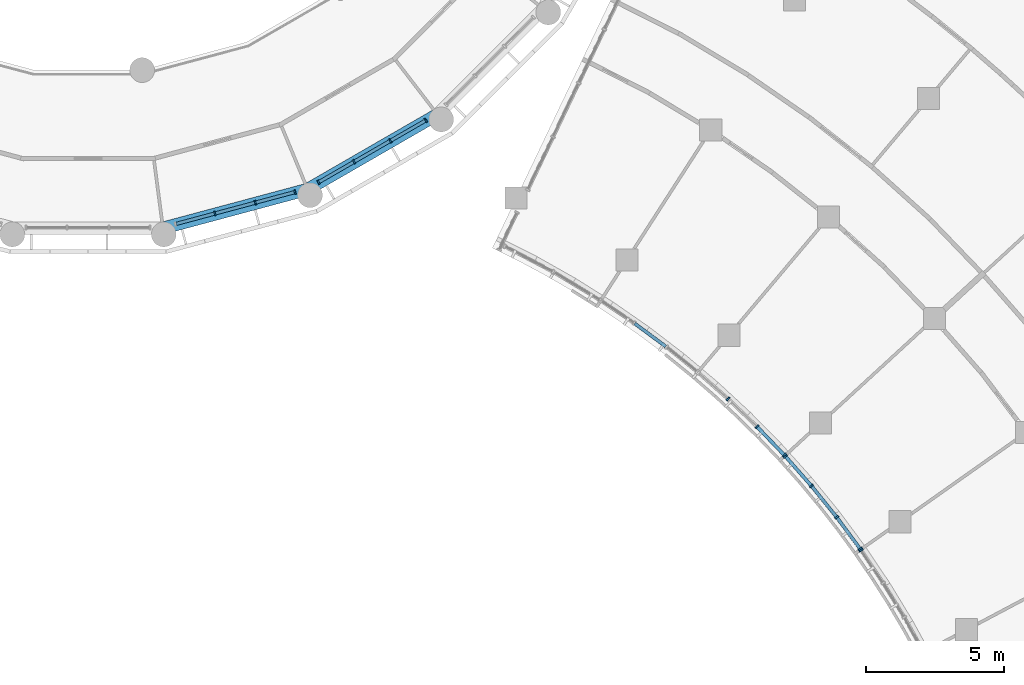
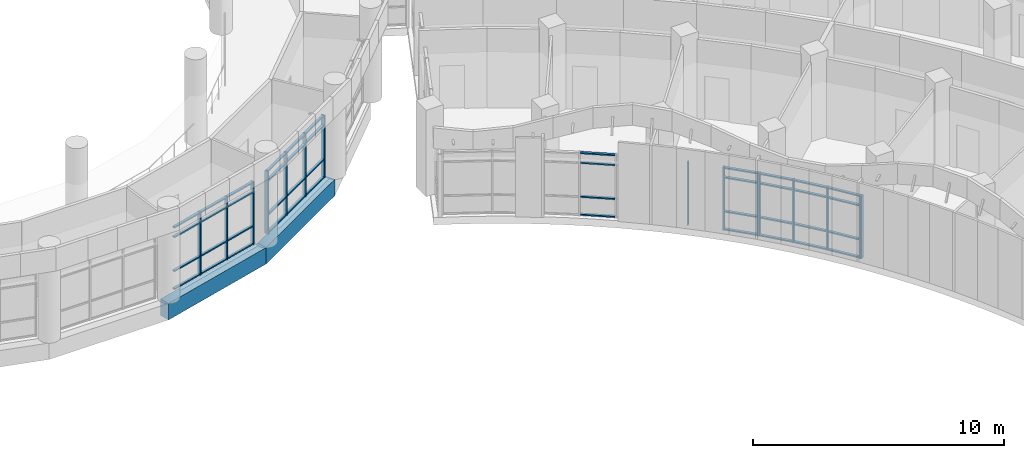
# One storey, part 10 of 109: 59 members, 2 beams, 6 elements without a shape of their own.
"""IFC4 building model written with IfcOpenShell, lengths in metres."""

from ifc_helpers import new_model, si_unit, direction, frame, origin, origin_2d, place, context, subcontext, project, spatial, rectangle, extrude, material, material_profile, profile_set, type_object, element, aggregate, save


model = new_model("IFC4")

# Units and contexts
model_context = context("Model", 3, precision=1e-05, world=origin(), true_north=direction((0.0, 1.0)))
body_context = subcontext(model_context, "Body", "Model", "MODEL_VIEW")
ifc_project = project(units=[si_unit("LENGTHUNIT", "METRE"), si_unit("AREAUNIT", "SQUARE_METRE"), si_unit("VOLUMEUNIT", "CUBIC_METRE"), si_unit("PLANEANGLEUNIT", "RADIAN"), si_unit("MASSUNIT", "GRAM", prefix="KILO")], contexts=[model_context])

# Site, building, storey
site_placement = place(None, origin())
site = spatial("IfcSite", under=ifc_project, at=site_placement, CompositionType="ELEMENT")
building_placement = place(site_placement, origin())
building = spatial("IfcBuilding", under=site, at=building_placement, Name="Bougainvillea Quay General Hospital", CompositionType="ELEMENT")
storey_placement = place(building_placement, frame((0.0, 0.0, 12.60009765625)))
storey = spatial("IfcBuildingStorey", under=building, at=storey_placement, Name="L02", CompositionType="ELEMENT", Elevation=12.60009765625)

# Curtain wall, members
ifc_material_1 = material(Name="Aluminium curtain wall system, powder-coated glazed", Category="aluminium")
curtain_wall_type_1 = type_object("IfcCurtainWallType", Name="Unitised curtain wall CW-2100", PredefinedType="NOTDEFINED", material=ifc_material_1)
curtain_wall_1_placement = place(storey_placement, origin())
curtain_wall_1 = element("IfcCurtainWall", 1, at=curtain_wall_1_placement, inside=storey, type_object=curtain_wall_type_1, Name="CW-E03 a21b2", PredefinedType="NOTDEFINED")
ifc_material_2 = material(Name="Aluminium mullion, powder-coated charcoal", Category="aluminium")
ifc_material_profile_1 = material_profile(ifc_material_2, rectangle(XDim=0.159912109375, YDim=0.06005859375, at=origin_2d()))
ifc_profile_set_1 = profile_set([ifc_material_profile_1], Name="Aluminium mullion, powder-coated charcoal")
member_type_1 = type_object("IfcMemberType", Name="Curtain wall mullion 160x60", PredefinedType="MULLION", material=ifc_profile_set_1)
member_1_placement = place(storey_placement, frame((132.365966796875, 47.226806640625, 0.0), z_axis=(0.0, 0.0, 1.0), x_axis=(0.676379052625, 0.736553716419, 0.0)))
member_1 = element("IfcMember", 2, at=member_1_placement, type_object=member_type_1, Name="CW-E03 mullion 2", PredefinedType="MULLION", context=body_context, shape_type="SweptSolid", body=[
    extrude(rectangle(XDim=0.159912109375, YDim=0.06005859375, at=origin_2d()), origin(), (0.0, 0.0, 1.0), 3.0498046875),
])
member_2_placement = place(storey_placement, frame((133.417724609375, 46.218994140625, 0.0), z_axis=(0.0, 0.0, 1.0), x_axis=(0.707090325877, 0.707123236113, 0.0)))
member_2 = element("IfcMember", 3, at=member_2_placement, type_object=member_type_1, Name="CW-E03 mullion 3", PredefinedType="MULLION", context=body_context, shape_type="SweptSolid", body=[
    extrude(rectangle(XDim=0.159912109375, YDim=0.06005859375, at=origin_2d()), origin(), (0.0, 0.0, 1.0), 3.0498046875),
])
member_3_placement = place(storey_placement, frame((134.405029296875, 45.188720703125, 0.0), z_axis=(0.0, 0.0, 1.0), x_axis=(0.721969584803, 0.691924792604, 0.0)))
member_3 = element("IfcMember", 4, at=member_3_placement, type_object=member_type_1, Name="CW-E03 mullion 4", PredefinedType="MULLION", context=body_context, shape_type="SweptSolid", body=[
    extrude(rectangle(XDim=0.159912109375, YDim=0.06005859375, at=origin_2d()), origin(), (0.0, 0.0, 1.0), 3.0498046875),
])

curtain_wall_2_placement = place(storey_placement, origin())
curtain_wall_2 = element("IfcCurtainWall", 5, at=curtain_wall_2_placement, inside=storey, type_object=curtain_wall_type_1, Name="CW-E04 a21b3", PredefinedType="NOTDEFINED")
member_4_placement = place(storey_placement, frame((134.445556640625, 45.14453125, 0.0), z_axis=(0.0, 0.0, 1.0), x_axis=(0.750741694576, 0.660595873455, 0.0)))
member_4 = element("IfcMember", 6, at=member_4_placement, type_object=member_type_1, Name="CW-E04 mullion 1", PredefinedType="MULLION", context=body_context, shape_type="SweptSolid", body=[
    extrude(rectangle(XDim=0.159912109375, YDim=0.06005859375, at=origin_2d()), origin(), (0.0, 0.0, 1.0), 3.0498046875),
])
member_5_placement = place(storey_placement, frame((135.38818359375, 44.073486328125, 0.0), z_axis=(0.0, 0.0, 1.0), x_axis=(0.764621529328, 0.644479570575, 0.0)))
member_5 = element("IfcMember", 7, at=member_5_placement, type_object=member_type_1, Name="CW-E04 mullion 2", PredefinedType="MULLION", context=body_context, shape_type="SweptSolid", body=[
    extrude(rectangle(XDim=0.159912109375, YDim=0.06005859375, at=origin_2d()), origin(), (0.0, 0.0, 1.0), 3.0498046875),
])
member_6_placement = place(storey_placement, frame((136.30322265625, 42.939697265625, 0.0), z_axis=(0.0, 0.0, 1.0), x_axis=(0.791337366302, 0.611379728723, 0.0)))
member_6 = element("IfcMember", 8, at=member_6_placement, type_object=member_type_1, Name="CW-E04 mullion 3", PredefinedType="MULLION", context=body_context, shape_type="SweptSolid", body=[
    extrude(rectangle(XDim=0.159912109375, YDim=0.06005859375, at=origin_2d()), origin(), (0.0, 0.0, 1.0), 3.0498046875),
])
member_7_placement = place(storey_placement, frame((137.1513671875, 41.792236328125, 0.0), z_axis=(0.0, 0.0, 1.0), x_axis=(0.804161282658, 0.594411163652, 0.0)))
member_7 = element("IfcMember", 9, at=member_7_placement, type_object=member_type_1, Name="CW-E04 mullion 4", PredefinedType="MULLION", context=body_context, shape_type="SweptSolid", body=[
    extrude(rectangle(XDim=0.159912109375, YDim=0.06005859375, at=origin_2d()), origin(), (0.0, 0.0, 1.0), 3.0498046875),
])

# Curtain wall, member
curtain_wall_3_placement = place(storey_placement, origin())
curtain_wall_3 = element("IfcCurtainWall", 10, at=curtain_wall_3_placement, inside=storey, type_object=curtain_wall_type_1, Name="CW-E05 a21b4", PredefinedType="NOTDEFINED")
member_8_placement = place(storey_placement, frame((137.18603515625, 41.743408203125, 0.0), z_axis=(0.0, 0.0, 1.0), x_axis=(0.828712107033, 0.559675123314, 0.0)))
member_8 = element("IfcMember", 11, at=member_8_placement, type_object=member_type_1, Name="CW-E05 mullion 1", PredefinedType="MULLION", context=body_context, shape_type="SweptSolid", body=[
    extrude(rectangle(XDim=0.159912109375, YDim=0.06005859375, at=origin_2d()), origin(), (0.0, 0.0, 1.0), 3.0498046875),
])
aggregate(curtain_wall_3, [member_8])

# Curtain wall, members
curtain_wall_type_2 = type_object("IfcCurtainWallType", Name="Unitised curtain wall CW-1514", PredefinedType="NOTDEFINED", material=ifc_material_1)
curtain_wall_4_placement = place(storey_placement, origin())
curtain_wall_4 = element("IfcCurtainWall", 12, at=curtain_wall_4_placement, inside=storey, type_object=curtain_wall_type_2, Name="CW-D 00", PredefinedType="NOTDEFINED")
member_9_placement = place(storey_placement, frame((113.792724609375, 53.93505859375, 0.0), z_axis=(0.0, 0.0, 1.0), x_axis=(-0.258854621298, 0.965916292974, 0.0)))
member_9 = element("IfcMember", 13, at=member_9_placement, type_object=member_type_1, Name="CW-D mullion 2", PredefinedType="MULLION", context=body_context, shape_type="SweptSolid", body=[
    extrude(rectangle(XDim=0.159912109375, YDim=0.06005859375, at=origin_2d()), origin(), (0.0, 0.0, 1.0), 3.0498046875),
])
member_10_placement = place(storey_placement, frame((115.2548828125, 54.326904296875, 0.0), z_axis=(0.0, 0.0, 1.0), x_axis=(-0.258854621298, 0.965916292974, 0.0)))
member_10 = element("IfcMember", 14, at=member_10_placement, type_object=member_type_1, Name="CW-D mullion 3", PredefinedType="MULLION", context=body_context, shape_type="SweptSolid", body=[
    extrude(rectangle(XDim=0.159912109375, YDim=0.06005859375, at=origin_2d()), origin(), (0.0, 0.0, 1.0), 3.0498046875),
])
member_11_placement = place(storey_placement, frame((116.688232421875, 54.7109375, 0.0), z_axis=(0.0, 0.0, 1.0), x_axis=(-0.258854621298, 0.965916292974, 0.0)))
member_11 = element("IfcMember", 15, at=member_11_placement, type_object=member_type_1, Name="CW-D mullion 4", PredefinedType="MULLION", context=body_context, shape_type="SweptSolid", body=[
    extrude(rectangle(XDim=0.159912109375, YDim=0.06005859375, at=origin_2d()), origin(), (0.0, 0.0, 1.0), 3.0498046875),
])

curtain_wall_type_3 = type_object("IfcCurtainWallType", Name="Unitised curtain wall CW-1515", PredefinedType="NOTDEFINED", material=ifc_material_1)
curtain_wall_5_placement = place(storey_placement, origin())
curtain_wall_5 = element("IfcCurtainWall", 16, at=curtain_wall_5_placement, inside=storey, type_object=curtain_wall_type_3, Name="CW-D 00", PredefinedType="NOTDEFINED")
member_12_placement = place(storey_placement, frame((117.5439453125, 55.0654296875, 0.0), z_axis=(0.0, 0.0, 1.0), x_axis=(-0.499964557262, 0.866045865692, 0.0)))
member_12 = element("IfcMember", 17, at=member_12_placement, type_object=member_type_1, Name="CW-D mullion 1", PredefinedType="MULLION", context=body_context, shape_type="SweptSolid", body=[
    extrude(rectangle(XDim=0.159912109375, YDim=0.06005859375, at=origin_2d()), origin(), (0.0, 0.0, 1.0), 3.0498046875),
])
member_13_placement = place(storey_placement, frame((118.829345703125, 55.8076171875, 0.0), z_axis=(0.0, 0.0, 1.0), x_axis=(-0.499964557262, 0.866045865692, 0.0)))
member_13 = element("IfcMember", 18, at=member_13_placement, type_object=member_type_1, Name="CW-D mullion 2", PredefinedType="MULLION", context=body_context, shape_type="SweptSolid", body=[
    extrude(rectangle(XDim=0.159912109375, YDim=0.06005859375, at=origin_2d()), origin(), (0.0, 0.0, 1.0), 3.0498046875),
])
member_14_placement = place(storey_placement, frame((120.140625, 56.564453125, 0.0), z_axis=(0.0, 0.0, 1.0), x_axis=(-0.499964557262, 0.866045865692, 0.0)))
member_14 = element("IfcMember", 19, at=member_14_placement, type_object=member_type_1, Name="CW-D mullion 3", PredefinedType="MULLION", context=body_context, shape_type="SweptSolid", body=[
    extrude(rectangle(XDim=0.159912109375, YDim=0.06005859375, at=origin_2d()), origin(), (0.0, 0.0, 1.0), 3.0498046875),
])
member_15_placement = place(storey_placement, frame((121.426025390625, 57.306640625, 0.0), z_axis=(0.0, 0.0, 1.0), x_axis=(-0.499964557262, 0.866045865692, 0.0)))
member_15 = element("IfcMember", 20, at=member_15_placement, type_object=member_type_1, Name="CW-D mullion 4", PredefinedType="MULLION", context=body_context, shape_type="SweptSolid", body=[
    extrude(rectangle(XDim=0.159912109375, YDim=0.06005859375, at=origin_2d()), origin(), (0.0, 0.0, 1.0), 3.0498046875),
])

curtain_wall_6_placement = place(storey_placement, origin())
curtain_wall_6 = element("IfcCurtainWall", 21, at=curtain_wall_6_placement, inside=storey, type_object=curtain_wall_type_1, Name="CW-E02 a21b1", PredefinedType="NOTDEFINED")
ifc_material_3 = material(Name="Aluminium transom, powder-coated charcoal", Category="aluminium")
ifc_material_profile_2 = material_profile(ifc_material_3, rectangle(XDim=0.1201171875, YDim=0.06005859375, at=origin_2d()))
ifc_profile_set_2 = profile_set([ifc_material_profile_2], Name="Aluminium transom, powder-coated charcoal")
member_type_2 = type_object("IfcMemberType", Name="Curtain wall transom 120x60", PredefinedType="USERDEFINED", material=ifc_profile_set_2)
member_16_placement = place(storey_placement, frame((128.990966796875, 49.952392578125, 0.02978515625), z_axis=(0.804154347071, -0.594420546488, 0.0), x_axis=(0.594420546488, 0.804154347071, 0.0)))
member_16 = element("IfcMember", 22, at=member_16_placement, type_object=member_type_2, Name="CW-E02 transom 2.1", ObjectType="TRANSOM", PredefinedType="USERDEFINED", context=body_context, shape_type="SweptSolid", body=[
    extrude(rectangle(XDim=0.1201171875, YDim=0.06005859375, at=origin_2d()), origin(), (0.0, 0.0, 1.0), 1.39697265625),
])
member_17_placement = place(storey_placement, frame((128.990966796875, 49.952392578125, 0.89990234375), z_axis=(0.804154347071, -0.594420546488, 0.0), x_axis=(0.594420546488, 0.804154347071, 0.0)))
member_17 = element("IfcMember", 23, at=member_17_placement, type_object=member_type_2, Name="CW-E02 transom 2.2", ObjectType="TRANSOM", PredefinedType="USERDEFINED", context=body_context, shape_type="SweptSolid", body=[
    extrude(rectangle(XDim=0.1201171875, YDim=0.06005859375, at=origin_2d()), origin(), (0.0, 0.0, 1.0), 1.39697265625),
])
member_18_placement = place(storey_placement, frame((128.990966796875, 49.952392578125, 2.5498046875), z_axis=(0.804154347071, -0.594420546488, 0.0), x_axis=(0.594420546488, 0.804154347071, 0.0)))
member_18 = element("IfcMember", 24, at=member_18_placement, type_object=member_type_2, Name="CW-E02 transom 2.3", ObjectType="TRANSOM", PredefinedType="USERDEFINED", context=body_context, shape_type="SweptSolid", body=[
    extrude(rectangle(XDim=0.1201171875, YDim=0.06005859375, at=origin_2d()), origin(), (0.0, 0.0, 1.0), 1.39697265625),
])
member_19_placement = place(storey_placement, frame((128.990966796875, 49.952392578125, 3.02001953125), z_axis=(0.804154347071, -0.594420546488, 0.0), x_axis=(0.594420546488, 0.804154347071, 0.0)))
member_19 = element("IfcMember", 25, at=member_19_placement, type_object=member_type_2, Name="CW-E02 transom 2.4", ObjectType="TRANSOM", PredefinedType="USERDEFINED", context=body_context, shape_type="SweptSolid", body=[
    extrude(rectangle(XDim=0.1201171875, YDim=0.06005859375, at=origin_2d()), origin(), (0.0, 0.0, 1.0), 1.39697265625),
])
aggregate(curtain_wall_6, [member_16, member_17, member_18, member_19])

# Member
member_20_placement = place(storey_placement, frame((133.4384765625, 46.197265625, 0.02978515625), z_axis=(0.691944155864, -0.721951026847, 0.0), x_axis=(0.721951026847, 0.691944155864, 0.0)))
member_20 = element("IfcMember", 26, at=member_20_placement, type_object=member_type_2, Name="CW-E03 transom 3.1", ObjectType="TRANSOM", PredefinedType="USERDEFINED", context=body_context, shape_type="SweptSolid", body=[
    extrude(rectangle(XDim=0.1201171875, YDim=0.06005859375, at=origin_2d()), origin(), (0.0, 0.0, 1.0), 1.366943359375),
])

member_21_placement = place(storey_placement, frame((133.4384765625, 46.197265625, 0.89990234375), z_axis=(0.691944155864, -0.721951026847, 0.0), x_axis=(0.721951026847, 0.691944155864, 0.0)))
member_21 = element("IfcMember", 27, at=member_21_placement, type_object=member_type_2, Name="CW-E03 transom 3.2", ObjectType="TRANSOM", PredefinedType="USERDEFINED", context=body_context, shape_type="SweptSolid", body=[
    extrude(rectangle(XDim=0.1201171875, YDim=0.06005859375, at=origin_2d()), origin(), (0.0, 0.0, 1.0), 1.366943359375),
])

member_22_placement = place(storey_placement, frame((133.4384765625, 46.197265625, 2.5498046875), z_axis=(0.691944155864, -0.721951026847, 0.0), x_axis=(0.721951026847, 0.691944155864, 0.0)))
member_22 = element("IfcMember", 28, at=member_22_placement, type_object=member_type_2, Name="CW-E03 transom 3.3", ObjectType="TRANSOM", PredefinedType="USERDEFINED", context=body_context, shape_type="SweptSolid", body=[
    extrude(rectangle(XDim=0.1201171875, YDim=0.06005859375, at=origin_2d()), origin(), (0.0, 0.0, 1.0), 1.366943359375),
])

member_23_placement = place(storey_placement, frame((133.4384765625, 46.197265625, 3.02001953125), z_axis=(0.691944155864, -0.721951026847, 0.0), x_axis=(0.721951026847, 0.691944155864, 0.0)))
member_23 = element("IfcMember", 29, at=member_23_placement, type_object=member_type_2, Name="CW-E03 transom 3.4", ObjectType="TRANSOM", PredefinedType="USERDEFINED", context=body_context, shape_type="SweptSolid", body=[
    extrude(rectangle(XDim=0.1201171875, YDim=0.06005859375, at=origin_2d()), origin(), (0.0, 0.0, 1.0), 1.366943359375),
])

aggregate(curtain_wall_1, [member_1, member_2, member_3, member_20, member_21, member_22, member_23])

member_24_placement = place(storey_placement, frame((134.465576171875, 45.1220703125, 0.02978515625), z_axis=(0.660563464246, -0.750770210986, 0.0), x_axis=(0.750770210986, 0.660563464246, 0.0)))
member_24 = element("IfcMember", 30, at=member_24_placement, type_object=member_type_2, Name="CW-E04 transom 1.1", ObjectType="TRANSOM", PredefinedType="USERDEFINED", context=body_context, shape_type="SweptSolid", body=[
    extrude(rectangle(XDim=0.1201171875, YDim=0.06005859375, at=origin_2d()), origin(), (0.0, 0.0, 1.0), 1.36669921875),
])

member_25_placement = place(storey_placement, frame((134.465576171875, 45.1220703125, 0.89990234375), z_axis=(0.660563464246, -0.750770210986, 0.0), x_axis=(0.750770210986, 0.660563464246, 0.0)))
member_25 = element("IfcMember", 31, at=member_25_placement, type_object=member_type_2, Name="CW-E04 transom 1.2", ObjectType="TRANSOM", PredefinedType="USERDEFINED", context=body_context, shape_type="SweptSolid", body=[
    extrude(rectangle(XDim=0.1201171875, YDim=0.06005859375, at=origin_2d()), origin(), (0.0, 0.0, 1.0), 1.36669921875),
])

member_26_placement = place(storey_placement, frame((134.465576171875, 45.1220703125, 2.5498046875), z_axis=(0.660563464246, -0.750770210986, 0.0), x_axis=(0.750770210986, 0.660563464246, 0.0)))
member_26 = element("IfcMember", 32, at=member_26_placement, type_object=member_type_2, Name="CW-E04 transom 1.3", ObjectType="TRANSOM", PredefinedType="USERDEFINED", context=body_context, shape_type="SweptSolid", body=[
    extrude(rectangle(XDim=0.1201171875, YDim=0.06005859375, at=origin_2d()), origin(), (0.0, 0.0, 1.0), 1.36669921875),
])

member_27_placement = place(storey_placement, frame((134.465576171875, 45.1220703125, 3.02001953125), z_axis=(0.660563464246, -0.750770210986, 0.0), x_axis=(0.750770210986, 0.660563464246, 0.0)))
member_27 = element("IfcMember", 33, at=member_27_placement, type_object=member_type_2, Name="CW-E04 transom 1.4", ObjectType="TRANSOM", PredefinedType="USERDEFINED", context=body_context, shape_type="SweptSolid", body=[
    extrude(rectangle(XDim=0.1201171875, YDim=0.06005859375, at=origin_2d()), origin(), (0.0, 0.0, 1.0), 1.36669921875),
])

member_28_placement = place(storey_placement, frame((135.406982421875, 44.050048828125, 0.02978515625), z_axis=(0.628141814812, -0.778098875777, 0.0), x_axis=(0.778098875777, 0.628141814812, 0.0)))
member_28 = element("IfcMember", 34, at=member_28_placement, type_object=member_type_2, Name="CW-E04 transom 2.1", ObjectType="TRANSOM", PredefinedType="USERDEFINED", context=body_context, shape_type="SweptSolid", body=[
    extrude(rectangle(XDim=0.1201171875, YDim=0.06005859375, at=origin_2d()), origin(), (0.0, 0.0, 1.0), 1.39697265625),
])

member_29_placement = place(storey_placement, frame((135.406982421875, 44.050048828125, 0.89990234375), z_axis=(0.628141814812, -0.778098875777, 0.0), x_axis=(0.778098875777, 0.628141814812, 0.0)))
member_29 = element("IfcMember", 35, at=member_29_placement, type_object=member_type_2, Name="CW-E04 transom 2.2", ObjectType="TRANSOM", PredefinedType="USERDEFINED", context=body_context, shape_type="SweptSolid", body=[
    extrude(rectangle(XDim=0.1201171875, YDim=0.06005859375, at=origin_2d()), origin(), (0.0, 0.0, 1.0), 1.39697265625),
])

member_30_placement = place(storey_placement, frame((135.406982421875, 44.050048828125, 2.5498046875), z_axis=(0.628141814812, -0.778098875777, 0.0), x_axis=(0.778098875777, 0.628141814812, 0.0)))
member_30 = element("IfcMember", 36, at=member_30_placement, type_object=member_type_2, Name="CW-E04 transom 2.3", ObjectType="TRANSOM", PredefinedType="USERDEFINED", context=body_context, shape_type="SweptSolid", body=[
    extrude(rectangle(XDim=0.1201171875, YDim=0.06005859375, at=origin_2d()), origin(), (0.0, 0.0, 1.0), 1.39697265625),
])

member_31_placement = place(storey_placement, frame((135.406982421875, 44.050048828125, 3.02001953125), z_axis=(0.628141814812, -0.778098875777, 0.0), x_axis=(0.778098875777, 0.628141814812, 0.0)))
member_31 = element("IfcMember", 37, at=member_31_placement, type_object=member_type_2, Name="CW-E04 transom 2.4", ObjectType="TRANSOM", PredefinedType="USERDEFINED", context=body_context, shape_type="SweptSolid", body=[
    extrude(rectangle(XDim=0.1201171875, YDim=0.06005859375, at=origin_2d()), origin(), (0.0, 0.0, 1.0), 1.39697265625),
])

member_32_placement = place(storey_placement, frame((136.321044921875, 42.91552734375, 0.02978515625), z_axis=(0.594441282639, -0.804139018762, 0.0), x_axis=(0.804139018762, 0.594441282639, 0.0)))
member_32 = element("IfcMember", 38, at=member_32_placement, type_object=member_type_2, Name="CW-E04 transom 3.1", ObjectType="TRANSOM", PredefinedType="USERDEFINED", context=body_context, shape_type="SweptSolid", body=[
    extrude(rectangle(XDim=0.1201171875, YDim=0.06005859375, at=origin_2d()), origin(), (0.0, 0.0, 1.0), 1.366943359375),
])

member_33_placement = place(storey_placement, frame((136.321044921875, 42.91552734375, 0.89990234375), z_axis=(0.594441282639, -0.804139018762, 0.0), x_axis=(0.804139018762, 0.594441282639, 0.0)))
member_33 = element("IfcMember", 39, at=member_33_placement, type_object=member_type_2, Name="CW-E04 transom 3.2", ObjectType="TRANSOM", PredefinedType="USERDEFINED", context=body_context, shape_type="SweptSolid", body=[
    extrude(rectangle(XDim=0.1201171875, YDim=0.06005859375, at=origin_2d()), origin(), (0.0, 0.0, 1.0), 1.366943359375),
])

member_34_placement = place(storey_placement, frame((136.321044921875, 42.91552734375, 2.5498046875), z_axis=(0.594441282639, -0.804139018762, 0.0), x_axis=(0.804139018762, 0.594441282639, 0.0)))
member_34 = element("IfcMember", 40, at=member_34_placement, type_object=member_type_2, Name="CW-E04 transom 3.3", ObjectType="TRANSOM", PredefinedType="USERDEFINED", context=body_context, shape_type="SweptSolid", body=[
    extrude(rectangle(XDim=0.1201171875, YDim=0.06005859375, at=origin_2d()), origin(), (0.0, 0.0, 1.0), 1.366943359375),
])

member_35_placement = place(storey_placement, frame((136.321044921875, 42.91552734375, 3.02001953125), z_axis=(0.594441282639, -0.804139018762, 0.0), x_axis=(0.804139018762, 0.594441282639, 0.0)))
member_35 = element("IfcMember", 41, at=member_35_placement, type_object=member_type_2, Name="CW-E04 transom 3.4", ObjectType="TRANSOM", PredefinedType="USERDEFINED", context=body_context, shape_type="SweptSolid", body=[
    extrude(rectangle(XDim=0.1201171875, YDim=0.06005859375, at=origin_2d()), origin(), (0.0, 0.0, 1.0), 1.366943359375),
])

aggregate(curtain_wall_2, [member_4, member_5, member_6, member_7, member_24, member_25, member_26, member_27, member_28, member_29, member_30, member_31, member_32, member_33, member_34, member_35])

member_36_placement = place(storey_placement, frame((112.38818359375, 53.55859375, 0.02978515625), z_axis=(0.965909783806, 0.258878909043, 0.0), x_axis=(-0.258878909043, 0.965909783806, 0.0)))
member_36 = element("IfcMember", 42, at=member_36_placement, type_object=member_type_2, Name="CW-D transom 1.1", ObjectType="TRANSOM", PredefinedType="USERDEFINED", context=body_context, shape_type="SweptSolid", body=[
    extrude(rectangle(XDim=0.1201171875, YDim=0.06005859375, at=origin_2d()), origin(), (0.0, 0.0, 1.0), 1.424072265625),
])

member_37_placement = place(storey_placement, frame((112.38818359375, 53.55859375, 0.89990234375), z_axis=(0.965909783806, 0.258878909043, 0.0), x_axis=(-0.258878909043, 0.965909783806, 0.0)))
member_37 = element("IfcMember", 43, at=member_37_placement, type_object=member_type_2, Name="CW-D transom 1.2", ObjectType="TRANSOM", PredefinedType="USERDEFINED", context=body_context, shape_type="SweptSolid", body=[
    extrude(rectangle(XDim=0.1201171875, YDim=0.06005859375, at=origin_2d()), origin(), (0.0, 0.0, 1.0), 1.424072265625),
])

member_38_placement = place(storey_placement, frame((112.38818359375, 53.55859375, 2.5498046875), z_axis=(0.965909783806, 0.258878909043, 0.0), x_axis=(-0.258878909043, 0.965909783806, 0.0)))
member_38 = element("IfcMember", 44, at=member_38_placement, type_object=member_type_2, Name="CW-D transom 1.3", ObjectType="TRANSOM", PredefinedType="USERDEFINED", context=body_context, shape_type="SweptSolid", body=[
    extrude(rectangle(XDim=0.1201171875, YDim=0.06005859375, at=origin_2d()), origin(), (0.0, 0.0, 1.0), 1.424072265625),
])

member_39_placement = place(storey_placement, frame((112.38818359375, 53.55859375, 3.02001953125), z_axis=(0.965909783806, 0.258878909043, 0.0), x_axis=(-0.258878909043, 0.965909783806, 0.0)))
member_39 = element("IfcMember", 45, at=member_39_placement, type_object=member_type_2, Name="CW-D transom 1.4", ObjectType="TRANSOM", PredefinedType="USERDEFINED", context=body_context, shape_type="SweptSolid", body=[
    extrude(rectangle(XDim=0.1201171875, YDim=0.06005859375, at=origin_2d()), origin(), (0.0, 0.0, 1.0), 1.424072265625),
])

member_40_placement = place(storey_placement, frame((113.821533203125, 53.94287109375, 0.02978515625), z_axis=(0.965947302154, 0.258738882778, 0.0), x_axis=(-0.258738882778, 0.965947302154, 0.0)))
member_40 = element("IfcMember", 46, at=member_40_placement, type_object=member_type_2, Name="CW-D transom 2.1", ObjectType="TRANSOM", PredefinedType="USERDEFINED", context=body_context, shape_type="SweptSolid", body=[
    extrude(rectangle(XDim=0.1201171875, YDim=0.06005859375, at=origin_2d()), origin(), (0.0, 0.0, 1.0), 1.4541015625),
])

member_41_placement = place(storey_placement, frame((113.821533203125, 53.94287109375, 0.89990234375), z_axis=(0.965947302154, 0.258738882778, 0.0), x_axis=(-0.258738882778, 0.965947302154, 0.0)))
member_41 = element("IfcMember", 47, at=member_41_placement, type_object=member_type_2, Name="CW-D transom 2.2", ObjectType="TRANSOM", PredefinedType="USERDEFINED", context=body_context, shape_type="SweptSolid", body=[
    extrude(rectangle(XDim=0.1201171875, YDim=0.06005859375, at=origin_2d()), origin(), (0.0, 0.0, 1.0), 1.4541015625),
])

member_42_placement = place(storey_placement, frame((113.821533203125, 53.94287109375, 2.5498046875), z_axis=(0.965947302154, 0.258738882778, 0.0), x_axis=(-0.258738882778, 0.965947302154, 0.0)))
member_42 = element("IfcMember", 48, at=member_42_placement, type_object=member_type_2, Name="CW-D transom 2.3", ObjectType="TRANSOM", PredefinedType="USERDEFINED", context=body_context, shape_type="SweptSolid", body=[
    extrude(rectangle(XDim=0.1201171875, YDim=0.06005859375, at=origin_2d()), origin(), (0.0, 0.0, 1.0), 1.4541015625),
])

member_43_placement = place(storey_placement, frame((113.821533203125, 53.94287109375, 3.02001953125), z_axis=(0.965947302154, 0.258738882778, 0.0), x_axis=(-0.258738882778, 0.965947302154, 0.0)))
member_43 = element("IfcMember", 49, at=member_43_placement, type_object=member_type_2, Name="CW-D transom 2.4", ObjectType="TRANSOM", PredefinedType="USERDEFINED", context=body_context, shape_type="SweptSolid", body=[
    extrude(rectangle(XDim=0.1201171875, YDim=0.06005859375, at=origin_2d()), origin(), (0.0, 0.0, 1.0), 1.4541015625),
])

member_44_placement = place(storey_placement, frame((115.283935546875, 54.334716796875, 0.02978515625), z_axis=(0.965909783806, 0.258878909043, 0.0), x_axis=(-0.258878909043, 0.965909783806, 0.0)))
member_44 = element("IfcMember", 50, at=member_44_placement, type_object=member_type_2, Name="CW-D transom 3.1", ObjectType="TRANSOM", PredefinedType="USERDEFINED", context=body_context, shape_type="SweptSolid", body=[
    extrude(rectangle(XDim=0.1201171875, YDim=0.06005859375, at=origin_2d()), origin(), (0.0, 0.0, 1.0), 1.424072265625),
])

member_45_placement = place(storey_placement, frame((115.283935546875, 54.334716796875, 0.89990234375), z_axis=(0.965909783806, 0.258878909043, 0.0), x_axis=(-0.258878909043, 0.965909783806, 0.0)))
member_45 = element("IfcMember", 51, at=member_45_placement, type_object=member_type_2, Name="CW-D transom 3.2", ObjectType="TRANSOM", PredefinedType="USERDEFINED", context=body_context, shape_type="SweptSolid", body=[
    extrude(rectangle(XDim=0.1201171875, YDim=0.06005859375, at=origin_2d()), origin(), (0.0, 0.0, 1.0), 1.424072265625),
])

member_46_placement = place(storey_placement, frame((115.283935546875, 54.334716796875, 2.5498046875), z_axis=(0.965909783806, 0.258878909043, 0.0), x_axis=(-0.258878909043, 0.965909783806, 0.0)))
member_46 = element("IfcMember", 52, at=member_46_placement, type_object=member_type_2, Name="CW-D transom 3.3", ObjectType="TRANSOM", PredefinedType="USERDEFINED", context=body_context, shape_type="SweptSolid", body=[
    extrude(rectangle(XDim=0.1201171875, YDim=0.06005859375, at=origin_2d()), origin(), (0.0, 0.0, 1.0), 1.424072265625),
])

member_47_placement = place(storey_placement, frame((115.283935546875, 54.334716796875, 3.02001953125), z_axis=(0.965909783806, 0.258878909043, 0.0), x_axis=(-0.258878909043, 0.965909783806, 0.0)))
member_47 = element("IfcMember", 53, at=member_47_placement, type_object=member_type_2, Name="CW-D transom 3.4", ObjectType="TRANSOM", PredefinedType="USERDEFINED", context=body_context, shape_type="SweptSolid", body=[
    extrude(rectangle(XDim=0.1201171875, YDim=0.06005859375, at=origin_2d()), origin(), (0.0, 0.0, 1.0), 1.424072265625),
])

aggregate(curtain_wall_4, [member_9, member_10, member_11, member_36, member_37, member_38, member_39, member_40, member_41, member_42, member_43, member_44, member_45, member_46, member_47])

member_48_placement = place(storey_placement, frame((117.570068359375, 55.08056640625, 0.02978515625), z_axis=(0.86608282171, 0.499900536046, 0.0), x_axis=(-0.499900536046, 0.86608282171, 0.0)))
member_48 = element("IfcMember", 54, at=member_48_placement, type_object=member_type_2, Name="CW-D transom 1.1", ObjectType="TRANSOM", PredefinedType="USERDEFINED", context=body_context, shape_type="SweptSolid", body=[
    extrude(rectangle(XDim=0.1201171875, YDim=0.06005859375, at=origin_2d()), origin(), (0.0, 0.0, 1.0), 1.424072265625),
])

member_49_placement = place(storey_placement, frame((117.570068359375, 55.08056640625, 0.89990234375), z_axis=(0.86608282171, 0.499900536046, 0.0), x_axis=(-0.499900536046, 0.86608282171, 0.0)))
member_49 = element("IfcMember", 55, at=member_49_placement, type_object=member_type_2, Name="CW-D transom 1.2", ObjectType="TRANSOM", PredefinedType="USERDEFINED", context=body_context, shape_type="SweptSolid", body=[
    extrude(rectangle(XDim=0.1201171875, YDim=0.06005859375, at=origin_2d()), origin(), (0.0, 0.0, 1.0), 1.424072265625),
])

member_50_placement = place(storey_placement, frame((117.570068359375, 55.08056640625, 2.5498046875), z_axis=(0.86608282171, 0.499900536046, 0.0), x_axis=(-0.499900536046, 0.86608282171, 0.0)))
member_50 = element("IfcMember", 56, at=member_50_placement, type_object=member_type_2, Name="CW-D transom 1.3", ObjectType="TRANSOM", PredefinedType="USERDEFINED", context=body_context, shape_type="SweptSolid", body=[
    extrude(rectangle(XDim=0.1201171875, YDim=0.06005859375, at=origin_2d()), origin(), (0.0, 0.0, 1.0), 1.424072265625),
])

member_51_placement = place(storey_placement, frame((117.570068359375, 55.08056640625, 3.02001953125), z_axis=(0.86608282171, 0.499900536046, 0.0), x_axis=(-0.499900536046, 0.86608282171, 0.0)))
member_51 = element("IfcMember", 57, at=member_51_placement, type_object=member_type_2, Name="CW-D transom 1.4", ObjectType="TRANSOM", PredefinedType="USERDEFINED", context=body_context, shape_type="SweptSolid", body=[
    extrude(rectangle(XDim=0.1201171875, YDim=0.06005859375, at=origin_2d()), origin(), (0.0, 0.0, 1.0), 1.424072265625),
])

member_52_placement = place(storey_placement, frame((118.855224609375, 55.822509765625, 0.02978515625), z_axis=(0.866065384356, 0.499930745224, 0.0), x_axis=(-0.499930745224, 0.866065384356, 0.0)))
member_52 = element("IfcMember", 58, at=member_52_placement, type_object=member_type_2, Name="CW-D transom 2.1", ObjectType="TRANSOM", PredefinedType="USERDEFINED", context=body_context, shape_type="SweptSolid", body=[
    extrude(rectangle(XDim=0.1201171875, YDim=0.06005859375, at=origin_2d()), origin(), (0.0, 0.0, 1.0), 1.454345703125),
])

member_53_placement = place(storey_placement, frame((118.855224609375, 55.822509765625, 0.89990234375), z_axis=(0.866065384356, 0.499930745224, 0.0), x_axis=(-0.499930745224, 0.866065384356, 0.0)))
member_53 = element("IfcMember", 59, at=member_53_placement, type_object=member_type_2, Name="CW-D transom 2.2", ObjectType="TRANSOM", PredefinedType="USERDEFINED", context=body_context, shape_type="SweptSolid", body=[
    extrude(rectangle(XDim=0.1201171875, YDim=0.06005859375, at=origin_2d()), origin(), (0.0, 0.0, 1.0), 1.454345703125),
])

member_54_placement = place(storey_placement, frame((118.855224609375, 55.822509765625, 2.5498046875), z_axis=(0.866065384356, 0.499930745224, 0.0), x_axis=(-0.499930745224, 0.866065384356, 0.0)))
member_54 = element("IfcMember", 60, at=member_54_placement, type_object=member_type_2, Name="CW-D transom 2.3", ObjectType="TRANSOM", PredefinedType="USERDEFINED", context=body_context, shape_type="SweptSolid", body=[
    extrude(rectangle(XDim=0.1201171875, YDim=0.06005859375, at=origin_2d()), origin(), (0.0, 0.0, 1.0), 1.454345703125),
])

member_55_placement = place(storey_placement, frame((118.855224609375, 55.822509765625, 3.02001953125), z_axis=(0.866065384356, 0.499930745224, 0.0), x_axis=(-0.499930745224, 0.866065384356, 0.0)))
member_55 = element("IfcMember", 61, at=member_55_placement, type_object=member_type_2, Name="CW-D transom 2.4", ObjectType="TRANSOM", PredefinedType="USERDEFINED", context=body_context, shape_type="SweptSolid", body=[
    extrude(rectangle(XDim=0.1201171875, YDim=0.06005859375, at=origin_2d()), origin(), (0.0, 0.0, 1.0), 1.454345703125),
])

member_56_placement = place(storey_placement, frame((120.166748046875, 56.57958984375, 0.02978515625), z_axis=(0.866039970803, 0.499974768335, 0.0), x_axis=(-0.499974768335, 0.866039970803, 0.0)))
member_56 = element("IfcMember", 62, at=member_56_placement, type_object=member_type_2, Name="CW-D transom 3.1", ObjectType="TRANSOM", PredefinedType="USERDEFINED", context=body_context, shape_type="SweptSolid", body=[
    extrude(rectangle(XDim=0.1201171875, YDim=0.06005859375, at=origin_2d()), origin(), (0.0, 0.0, 1.0), 1.423828125),
])

member_57_placement = place(storey_placement, frame((120.166748046875, 56.57958984375, 0.89990234375), z_axis=(0.866039970803, 0.499974768335, 0.0), x_axis=(-0.499974768335, 0.866039970803, 0.0)))
member_57 = element("IfcMember", 63, at=member_57_placement, type_object=member_type_2, Name="CW-D transom 3.2", ObjectType="TRANSOM", PredefinedType="USERDEFINED", context=body_context, shape_type="SweptSolid", body=[
    extrude(rectangle(XDim=0.1201171875, YDim=0.06005859375, at=origin_2d()), origin(), (0.0, 0.0, 1.0), 1.423828125),
])

member_58_placement = place(storey_placement, frame((120.166748046875, 56.57958984375, 2.5498046875), z_axis=(0.866039970803, 0.499974768335, 0.0), x_axis=(-0.499974768335, 0.866039970803, 0.0)))
member_58 = element("IfcMember", 64, at=member_58_placement, type_object=member_type_2, Name="CW-D transom 3.3", ObjectType="TRANSOM", PredefinedType="USERDEFINED", context=body_context, shape_type="SweptSolid", body=[
    extrude(rectangle(XDim=0.1201171875, YDim=0.06005859375, at=origin_2d()), origin(), (0.0, 0.0, 1.0), 1.423828125),
])

member_59_placement = place(storey_placement, frame((120.166748046875, 56.57958984375, 3.02001953125), z_axis=(0.866039970803, 0.499974768335, 0.0), x_axis=(-0.499974768335, 0.866039970803, 0.0)))
member_59 = element("IfcMember", 65, at=member_59_placement, type_object=member_type_2, Name="CW-D transom 3.4", ObjectType="TRANSOM", PredefinedType="USERDEFINED", context=body_context, shape_type="SweptSolid", body=[
    extrude(rectangle(XDim=0.1201171875, YDim=0.06005859375, at=origin_2d()), origin(), (0.0, 0.0, 1.0), 1.423828125),
])

aggregate(curtain_wall_5, [member_12, member_13, member_14, member_15, member_48, member_49, member_50, member_51, member_52, member_53, member_54, member_55, member_56, member_57, member_58, member_59])

# Beams
ifc_material_4 = material(Name="Concrete C40", Category="concrete")
ifc_material_profile_3 = material_profile(ifc_material_4, rectangle(XDim=0.449951171875, YDim=0.800048828125, at=origin_2d()))
ifc_profile_set_3 = profile_set([ifc_material_profile_3], Name="Concrete C40")
beam_type = type_object("IfcBeamType", Name="RC BEAM 450x800 C40", PredefinedType="BEAM", material=ifc_profile_set_3)
beam_1_placement = place(storey_placement, frame((111.8828125, 53.397216796875, -0.7001953125), z_axis=(0.965906696194, 0.258890429038, 0.0), x_axis=(-0.258890429038, 0.965906696194, 0.0)))
element("IfcBeam", 66, at=beam_1_placement, inside=storey, type_object=beam_type, Name="Edge beam L02", PredefinedType="BEAM", context=body_context, shape_type="SweptSolid", body=[
    extrude(rectangle(XDim=0.449951171875, YDim=0.800048828125, at=origin_2d()), origin(), (0.0, 0.0, 1.0), 5.48193359375),
])
beam_2_placement = place(storey_placement, frame((117.12353515625, 54.7939453125, -0.7001953125), z_axis=(0.866050625198, 0.499956312685, 0.0), x_axis=(-0.499956312685, 0.866050625198, 0.0)))
element("IfcBeam", 67, at=beam_2_placement, inside=storey, type_object=beam_type, Name="Edge beam L02", PredefinedType="BEAM", context=body_context, shape_type="SweptSolid", body=[
    extrude(rectangle(XDim=0.449951171875, YDim=0.800048828125, at=origin_2d()), origin(), (0.0, 0.0, 1.0), 5.482421875),
])

save(model, "model.ifc")
